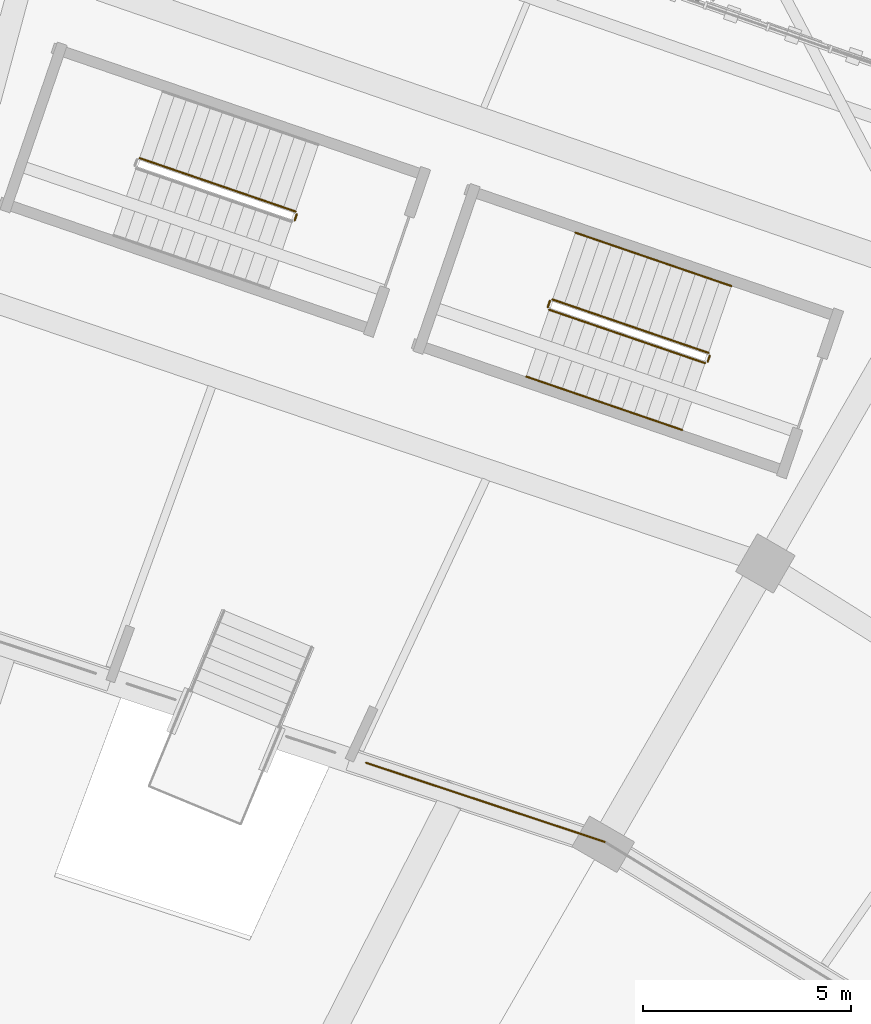
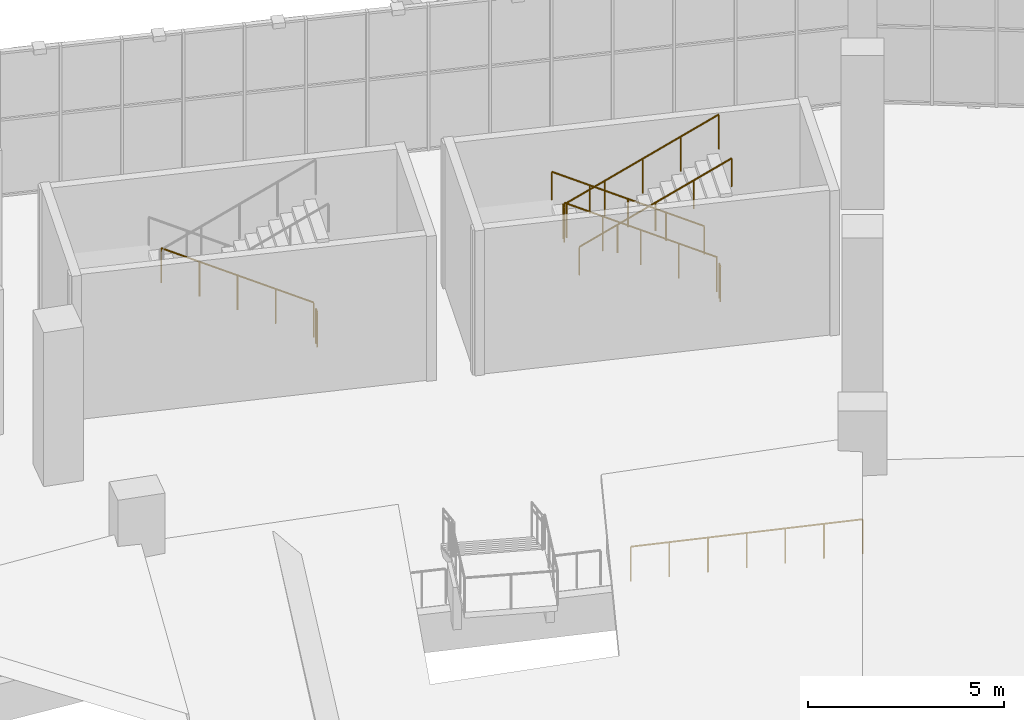
# One storey, part 173 of 183: 9 railings.
"""IFC4 building model written with IfcOpenShell, lengths in metres."""

from ifc_helpers import new_model, si_unit, direction, frame, origin, origin_2d, place, context, subcontext, project, spatial, circle, extrude, material, type_object, element, save


model = new_model("IFC4")

# Units and contexts
model_context = context("Model", 3, precision=1e-05, world=origin(), true_north=direction((0.0, 1.0)))
body_context = subcontext(model_context, "Body", "Model", "MODEL_VIEW")
ifc_project = project(units=[si_unit("LENGTHUNIT", "METRE"), si_unit("AREAUNIT", "SQUARE_METRE"), si_unit("VOLUMEUNIT", "CUBIC_METRE"), si_unit("PLANEANGLEUNIT", "RADIAN"), si_unit("MASSUNIT", "GRAM", prefix="KILO")], contexts=[model_context])

# Site, building, storey
site_placement = place(None, origin())
site = spatial("IfcSite", under=ifc_project, at=site_placement, CompositionType="ELEMENT")
building_placement = place(site_placement, origin())
building = spatial("IfcBuilding", under=site, at=building_placement, Name="Zevraka Park Crest Stadium", CompositionType="ELEMENT")
storey_placement = place(building_placement, frame((0.0, 0.0, 5.39990234375)))
storey = spatial("IfcBuildingStorey", under=building, at=storey_placement, Name="L01", CompositionType="ELEMENT", Elevation=5.39990234375)

# Railings
ifc_material_1 = material(Name="Galvanised and bronze-finished steel balustrade", Category="steel")
railing_type_1 = type_object("IfcRailingType", Name="GR01", PredefinedType="GUARDRAIL", material=ifc_material_1)
railing_1_placement = place(storey_placement, frame((149.2890625, 143.5869140625, 0.0)))
element("IfcRailing", 1, at=railing_1_placement, inside=storey, type_object=railing_type_1, Name="Deck Edge Protection Guardrail GR01 L01-83", PredefinedType="GUARDRAIL", context=body_context, shape_type="SweptSolid", body=[
    extrude(circle(Radius=0.02392578125, at=origin_2d()), frame((0.0, 0.0, 1.076171875), z_axis=(-0.949242415269, 0.314545445134, 0.0), x_axis=(-0.314545445134, -0.949242415269, 0.0)), (0.0, 0.0, 1.0), 6.053466796875),
    extrude(circle(Radius=0.02099609375, at=origin_2d()), origin(), (0.0, 0.0, 1.0), 1.052001953125),
    extrude(circle(Radius=0.02099609375, at=origin_2d()), frame((-0.957763671875, 0.3173828125, 0.0)), (0.0, 0.0, 1.0), 1.052001953125),
    extrude(circle(Radius=0.02099609375, at=origin_2d()), frame((-1.915283203125, 0.634765625, 0.0)), (0.0, 0.0, 1.0), 1.052001953125),
    extrude(circle(Radius=0.02099609375, at=origin_2d()), frame((-2.873046875, 0.9521484375, 0.0)), (0.0, 0.0, 1.0), 1.052001953125),
    extrude(circle(Radius=0.02099609375, at=origin_2d()), frame((-3.830810546875, 1.269287109375, 0.0)), (0.0, 0.0, 1.0), 1.052001953125),
    extrude(circle(Radius=0.02099609375, at=origin_2d()), frame((-4.788330078125, 1.586669921875, 0.0)), (0.0, 0.0, 1.0), 1.052001953125),
    extrude(circle(Radius=0.02099609375, at=origin_2d()), frame((-5.74609375, 1.904052734375, 0.0)), (0.0, 0.0, 1.0), 1.052001953125),
])
ifc_material_2 = material(Name="Powder-coated tubular steel stairwell guard", Category="steel")
railing_type_2 = type_object("IfcRailingType", Name="GR03", PredefinedType="GUARDRAIL", material=ifc_material_2)
railing_2_placement = place(storey_placement, frame((151.781982421875, 155.350341796875, 0.171630859375)))
element("IfcRailing", 2, at=railing_2_placement, inside=storey, type_object=railing_type_2, Name="L01 ST05 stair guard 1", PredefinedType="GUARDRAIL", context=body_context, shape_type="SweptSolid", body=[
    extrude(circle(Radius=0.02392578125, at=origin_2d()), frame((0.0, 0.0, 1.076171875), z_axis=(-0.824739296281, 0.282392023283, 0.489959017016), x_axis=(-0.323938619155, -0.946078099852, 0.0)), (0.0, 0.0, 1.0), 4.54833984375),
    extrude(circle(Radius=0.02099609375, at=origin_2d()), origin(), (0.0, 0.0, 1.0), 1.052001953125),
    extrude(circle(Radius=0.02099609375, at=origin_2d()), frame((-0.937744140625, 0.321044921875, 0.55712890625)), (0.0, 0.0, 1.0), 1.052001953125),
    extrude(circle(Radius=0.02099609375, at=origin_2d()), frame((-1.87548828125, 0.64208984375, 1.1142578125)), (0.0, 0.0, 1.0), 1.052001953125),
    extrude(circle(Radius=0.02099609375, at=origin_2d()), frame((-2.8134765625, 0.96337890625, 1.67138671875)), (0.0, 0.0, 1.0), 1.052001953125),
    extrude(circle(Radius=0.02099609375, at=origin_2d()), frame((-3.751220703125, 1.284423828125, 2.228515625)), (0.0, 0.0, 1.0), 1.052001953125),
])
railing_3_placement = place(storey_placement, frame((147.96728515625, 156.603759765625, 2.400146484375)))
element("IfcRailing", 3, at=railing_3_placement, inside=storey, type_object=railing_type_2, Name="L01 ST05 stair guard 2", PredefinedType="GUARDRAIL", context=body_context, shape_type="SweptSolid", body=[
    extrude(circle(Radius=0.02392578125, at=origin_2d()), frame((0.0, 0.0, 1.076171875), z_axis=(-0.324909238665, -0.945745201748, 0.0), x_axis=(0.945745201748, -0.324909238665, 0.0)), (0.0, 0.0, 1.0), 0.16015625),
    extrude(circle(Radius=0.02099609375, at=origin_2d()), origin(), (0.0, 0.0, 1.0), 1.052001953125),
    extrude(circle(Radius=0.02099609375, at=origin_2d()), frame((-0.052001953125, -0.1513671875, 0.0)), (0.0, 0.0, 1.0), 1.052001953125),
])
railing_4_placement = place(storey_placement, frame((147.946533203125, 156.388916015625, 2.571533203125)))
element("IfcRailing", 4, at=railing_4_placement, inside=storey, type_object=railing_type_2, Name="L01 ST05 stair guard 3", PredefinedType="GUARDRAIL", context=body_context, shape_type="SweptSolid", body=[
    extrude(circle(Radius=0.02392578125, at=origin_2d()), frame((0.0, 0.0, 1.076171875), z_axis=(0.824726794133, -0.282441418206, 0.489951589772), x_axis=(0.32399372979, 0.946059228091, 0.0)), (0.0, 0.0, 1.0), 4.54833984375),
    extrude(circle(Radius=0.02099609375, at=origin_2d()), origin(), (0.0, 0.0, 1.0), 1.052001953125),
    extrude(circle(Radius=0.02099609375, at=origin_2d()), frame((0.937744140625, -0.3212890625, 0.55712890625)), (0.0, 0.0, 1.0), 1.052001953125),
    extrude(circle(Radius=0.02099609375, at=origin_2d()), frame((1.87548828125, -0.642333984375, 1.1142578125)), (0.0, 0.0, 1.0), 1.052001953125),
    extrude(circle(Radius=0.02099609375, at=origin_2d()), frame((2.8134765625, -0.96337890625, 1.67138671875)), (0.0, 0.0, 1.0), 1.052001953125),
    extrude(circle(Radius=0.02099609375, at=origin_2d()), frame((3.751220703125, -1.28466796875, 2.228515625)), (0.0, 0.0, 1.0), 1.052001953125),
])
railing_5_placement = place(storey_placement, frame((151.81298828125, 155.286865234375, 0.0)))
element("IfcRailing", 5, at=railing_5_placement, inside=storey, type_object=railing_type_2, Name="L01 ST05 stair guard 4", PredefinedType="GUARDRAIL", context=body_context, shape_type="SweptSolid", body=[
    extrude(circle(Radius=0.02392578125, at=origin_2d()), frame((0.0, 0.0, 1.076171875), z_axis=(-0.32354385955, -0.946213174156, 0.0), x_axis=(0.946213174156, -0.32354385955, 0.0)), (0.0, 0.0, 1.0), 0.159912109375),
    extrude(circle(Radius=0.02099609375, at=origin_2d()), origin(), (0.0, 0.0, 1.0), 1.052001953125),
    extrude(circle(Radius=0.02099609375, at=origin_2d()), frame((-0.0517578125, -0.1513671875, 0.0)), (0.0, 0.0, 1.0), 1.052001953125),
])
railing_6_placement = place(storey_placement, frame((141.847900390625, 158.751220703125, 0.171630859375)))
element("IfcRailing", 6, at=railing_6_placement, inside=storey, type_object=railing_type_2, Name="L01 ST25 stair guard 1", PredefinedType="GUARDRAIL", context=body_context, shape_type="SweptSolid", body=[
    extrude(circle(Radius=0.02392578125, at=origin_2d()), frame((0.0, 0.0, 1.076171875), z_axis=(-0.824726794133, 0.282441418206, 0.489951589772), x_axis=(-0.32399372979, -0.946059228091, 0.0)), (0.0, 0.0, 1.0), 4.54833984375),
    extrude(circle(Radius=0.02099609375, at=origin_2d()), origin(), (0.0, 0.0, 1.0), 1.052001953125),
    extrude(circle(Radius=0.02099609375, at=origin_2d()), frame((-0.937744140625, 0.3212890625, 0.55712890625)), (0.0, 0.0, 1.0), 1.052001953125),
    extrude(circle(Radius=0.02099609375, at=origin_2d()), frame((-1.87548828125, 0.642333984375, 1.1142578125)), (0.0, 0.0, 1.0), 1.052001953125),
    extrude(circle(Radius=0.02099609375, at=origin_2d()), frame((-2.8134765625, 0.96337890625, 1.67138671875)), (0.0, 0.0, 1.0), 1.052001953125),
    extrude(circle(Radius=0.02099609375, at=origin_2d()), frame((-3.751220703125, 1.28466796875, 2.228515625)), (0.0, 0.0, 1.0), 1.052001953125),
])
railing_7_placement = place(storey_placement, frame((141.87890625, 158.687744140625, 0.0)))
element("IfcRailing", 7, at=railing_7_placement, inside=storey, type_object=railing_type_2, Name="L01 ST25 stair guard 4", PredefinedType="GUARDRAIL", context=body_context, shape_type="SweptSolid", body=[
    extrude(circle(Radius=0.02392578125, at=origin_2d()), frame((0.0, 0.0, 1.076171875), z_axis=(-0.32354385955, -0.946213174156, 0.0), x_axis=(0.946213174156, -0.32354385955, 0.0)), (0.0, 0.0, 1.0), 0.159912109375),
    extrude(circle(Radius=0.02099609375, at=origin_2d()), origin(), (0.0, 0.0, 1.0), 1.052001953125),
    extrude(circle(Radius=0.02099609375, at=origin_2d()), frame((-0.0517578125, -0.1513671875, 0.0)), (0.0, 0.0, 1.0), 1.052001953125),
])
ifc_material_3 = material(Name="Brushed stainless steel continuous handrail", Category="steel")
railing_type_3 = type_object("IfcRailingType", Name="HR01", PredefinedType="HANDRAIL", material=ifc_material_3)
railing_8_placement = place(storey_placement, frame((152.33251953125, 156.958740234375, 0.171630859375)))
element("IfcRailing", 8, at=railing_8_placement, inside=storey, type_object=railing_type_3, Name="L01 ST05 stair handrail 1", PredefinedType="HANDRAIL", context=body_context, shape_type="SweptSolid", body=[
    extrude(circle(Radius=0.02392578125, at=origin_2d()), frame((0.0, 0.0, 0.8759765625), z_axis=(-0.824722129126, 0.28240452495, 0.489980707801), x_axis=(-0.323957490722, -0.946071637988, 0.0)), (0.0, 0.0, 1.0), 4.548095703125),
    extrude(circle(Radius=0.02099609375, at=origin_2d()), origin(), (0.0, 0.0, 1.0), 0.851806640625),
    extrude(circle(Radius=0.02099609375, at=origin_2d()), frame((-0.937744140625, 0.321044921875, 0.55712890625)), (0.0, 0.0, 1.0), 0.851806640625),
    extrude(circle(Radius=0.02099609375, at=origin_2d()), frame((-1.87548828125, 0.64208984375, 1.1142578125)), (0.0, 0.0, 1.0), 0.851806640625),
    extrude(circle(Radius=0.02099609375, at=origin_2d()), frame((-2.813232421875, 0.96337890625, 1.67138671875)), (0.0, 0.0, 1.0), 0.851806640625),
    extrude(circle(Radius=0.02099609375, at=origin_2d()), frame((-3.7509765625, 1.284423828125, 2.228515625)), (0.0, 0.0, 1.0), 0.851806640625),
])
railing_9_placement = place(storey_placement, frame((147.395751953125, 154.780517578125, 2.571533203125)))
element("IfcRailing", 9, at=railing_9_placement, inside=storey, type_object=railing_type_3, Name="L01 ST05 stair handrail 2", PredefinedType="HANDRAIL", context=body_context, shape_type="SweptSolid", body=[
    extrude(circle(Radius=0.02392578125, at=origin_2d()), frame((0.0, 0.0, 0.8759765625), z_axis=(0.824739296281, -0.282392023283, 0.489959017016), x_axis=(0.323938619155, 0.946078099852, 0.0)), (0.0, 0.0, 1.0), 4.54833984375),
    extrude(circle(Radius=0.02099609375, at=origin_2d()), origin(), (0.0, 0.0, 1.0), 0.851806640625),
    extrude(circle(Radius=0.02099609375, at=origin_2d()), frame((0.937744140625, -0.321044921875, 0.55712890625)), (0.0, 0.0, 1.0), 0.851806640625),
    extrude(circle(Radius=0.02099609375, at=origin_2d()), frame((1.87548828125, -0.64208984375, 1.1142578125)), (0.0, 0.0, 1.0), 0.851806640625),
    extrude(circle(Radius=0.02099609375, at=origin_2d()), frame((2.8134765625, -0.96337890625, 1.67138671875)), (0.0, 0.0, 1.0), 0.851806640625),
    extrude(circle(Radius=0.02099609375, at=origin_2d()), frame((3.751220703125, -1.284423828125, 2.228515625)), (0.0, 0.0, 1.0), 0.851806640625),
])

save(model, "model.ifc")
